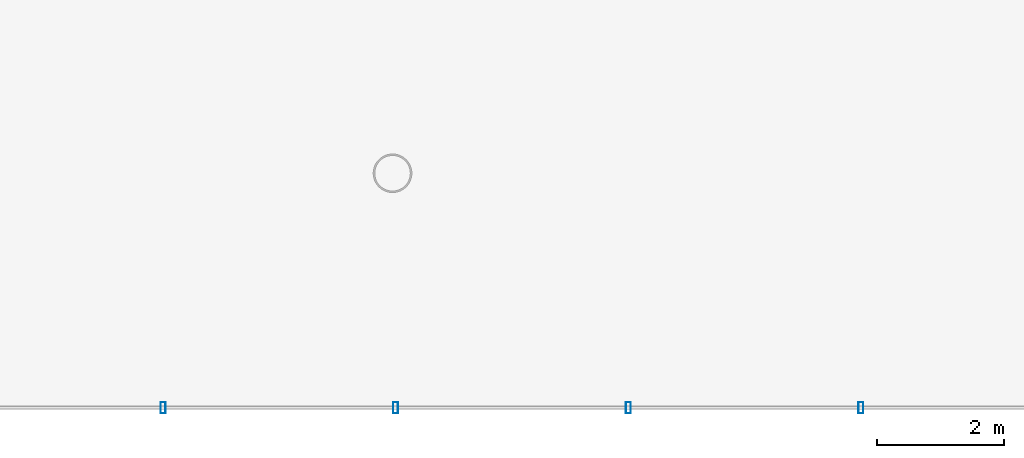
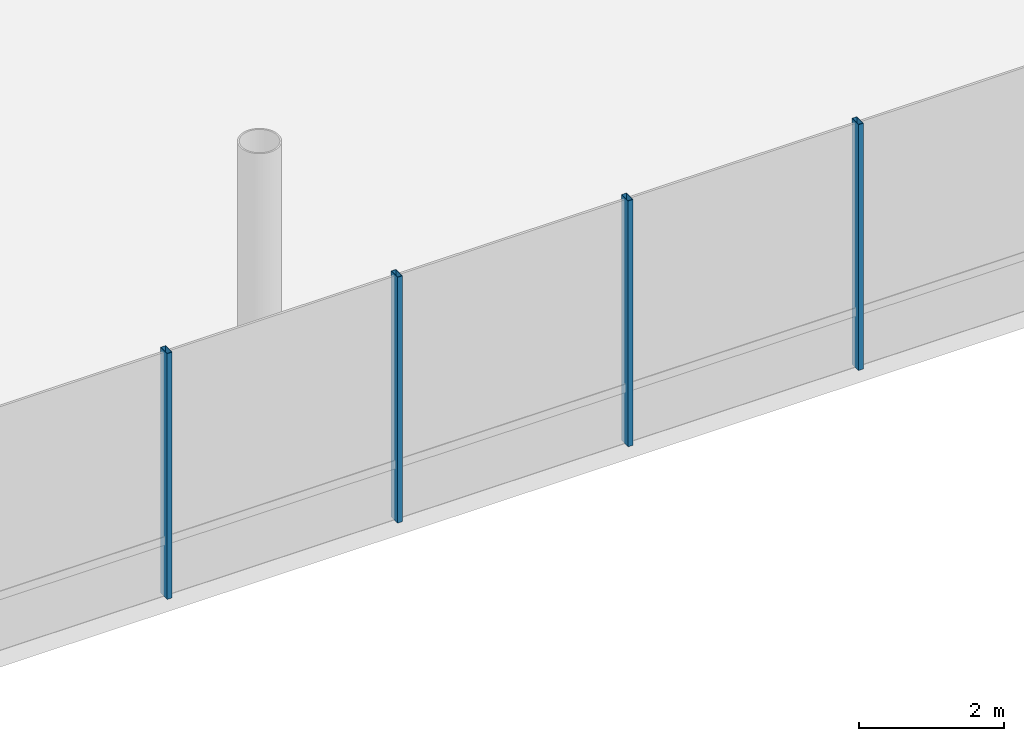
# One storey, part 7 of 43: 4 members, 1 element without a shape of its own.
"""IFC4 building model written with IfcOpenShell, lengths in metres."""

from ifc_helpers import new_model, si_unit, direction, frame, origin, origin_2d, place, context, subcontext, project, spatial, hollow_rectangle, extrude, material, layer, layer_set, material_profile, profile_set, type_object, element, aggregate, save


model = new_model("IFC4")

# Units and contexts
model_context = context("Model", 3, precision=1e-05, world=origin(), true_north=direction((0.0, 1.0)))
body_context = subcontext(model_context, "Body", "Model", "MODEL_VIEW")
ifc_project = project(units=[si_unit("LENGTHUNIT", "METRE"), si_unit("AREAUNIT", "SQUARE_METRE"), si_unit("VOLUMEUNIT", "CUBIC_METRE"), si_unit("PLANEANGLEUNIT", "RADIAN"), si_unit("MASSUNIT", "GRAM", prefix="KILO")], contexts=[model_context])

# Site, building, storey
site_placement = place(None, origin())
site = spatial("IfcSite", under=ifc_project, at=site_placement, CompositionType="ELEMENT")
building_placement = place(site_placement, origin())
building = spatial("IfcBuilding", under=site, at=building_placement, Name="Zarrinselat Tower", CompositionType="ELEMENT")
storey_placement = place(building_placement, frame((0.0, 0.0, 5.10009765625)))
storey = spatial("IfcBuildingStorey", under=building, at=storey_placement, Name="L01", CompositionType="ELEMENT", Elevation=5.10009765625)

# Curtain wall, members
ifc_material_1 = material(Name="Extruded Aluminium Alloy EN AW-6063 T6", Category="aluminium")
ifc_layer = layer(ifc_material_1, 0.2099609375)
ifc_layer_set = layer_set([ifc_layer], Name="Extruded Aluminium Alloy EN AW-6063 T6")
curtain_wall_type = type_object("IfcCurtainWallType", Name="CWS-POD", PredefinedType="NOTDEFINED", material=ifc_layer_set)
curtain_wall_placement = place(storey_placement, origin())
curtain_wall = element("IfcCurtainWall", 1, at=curtain_wall_placement, inside=storey, type_object=curtain_wall_type, Name="L01 Unitised Curtain Wall CW-L01-F1", PredefinedType="NOTDEFINED")
ifc_material_2 = material(Name="Extruded Aluminium Alloy EN AW-6063 T6", Category="aluminium")
ifc_material_profile = material_profile(ifc_material_2, hollow_rectangle(XDim=0.080078125, YDim=0.179931640625, WallThickness=0.0048828125, at=origin_2d()), Name="RHS 180x80x5")
ifc_profile_set = profile_set([ifc_material_profile], Name="Extruded Aluminium Alloy EN AW-6063 T6")
member_type = type_object("IfcMemberType", Name="MEM-CW-MUL", PredefinedType="MULLION", material=ifc_profile_set)
member_1_placement = place(storey_placement, frame((16.3798828125, 4.800048828125, 0.0), z_axis=(0.0, 0.0, 1.0), x_axis=(1.0, 0.0, 0.0)))
member_1 = element("IfcMember", 2, at=member_1_placement, type_object=member_type, Name="CW-L01-F1 Mullion 4", PredefinedType="MULLION", context=body_context, shape_type="SweptSolid", body=[
    extrude(hollow_rectangle(XDim=0.080078125, YDim=0.179931640625, WallThickness=0.0048828125, at=origin_2d()), origin(), (0.0, 0.0, 1.0), 4.139892578125),
])
member_2_placement = place(storey_placement, frame((20.050048828125, 4.800048828125, 0.0), z_axis=(0.0, 0.0, 1.0), x_axis=(1.0, 0.0, 0.0)))
member_2 = element("IfcMember", 3, at=member_2_placement, type_object=member_type, Name="CW-L01-F1 Mullion 5", PredefinedType="MULLION", context=body_context, shape_type="SweptSolid", body=[
    extrude(hollow_rectangle(XDim=0.080078125, YDim=0.179931640625, WallThickness=0.0048828125, at=origin_2d()), origin(), (0.0, 0.0, 1.0), 4.139892578125),
])
member_3_placement = place(storey_placement, frame((23.719970703125, 4.800048828125, 0.0), z_axis=(0.0, 0.0, 1.0), x_axis=(1.0, 0.0, 0.0)))
member_3 = element("IfcMember", 4, at=member_3_placement, type_object=member_type, Name="CW-L01-F1 Mullion 6", PredefinedType="MULLION", context=body_context, shape_type="SweptSolid", body=[
    extrude(hollow_rectangle(XDim=0.080078125, YDim=0.179931640625, WallThickness=0.0048828125, at=origin_2d()), origin(), (0.0, 0.0, 1.0), 4.139892578125),
])
member_4_placement = place(storey_placement, frame((27.389892578125, 4.800048828125, 0.0), z_axis=(0.0, 0.0, 1.0), x_axis=(1.0, 0.0, 0.0)))
member_4 = element("IfcMember", 5, at=member_4_placement, type_object=member_type, Name="CW-L01-F1 Mullion 7", PredefinedType="MULLION", context=body_context, shape_type="SweptSolid", body=[
    extrude(hollow_rectangle(XDim=0.080078125, YDim=0.179931640625, WallThickness=0.0048828125, at=origin_2d()), origin(), (0.0, 0.0, 1.0), 4.139892578125),
])
aggregate(curtain_wall, [member_1, member_2, member_3, member_4])

save(model, "model.ifc")
